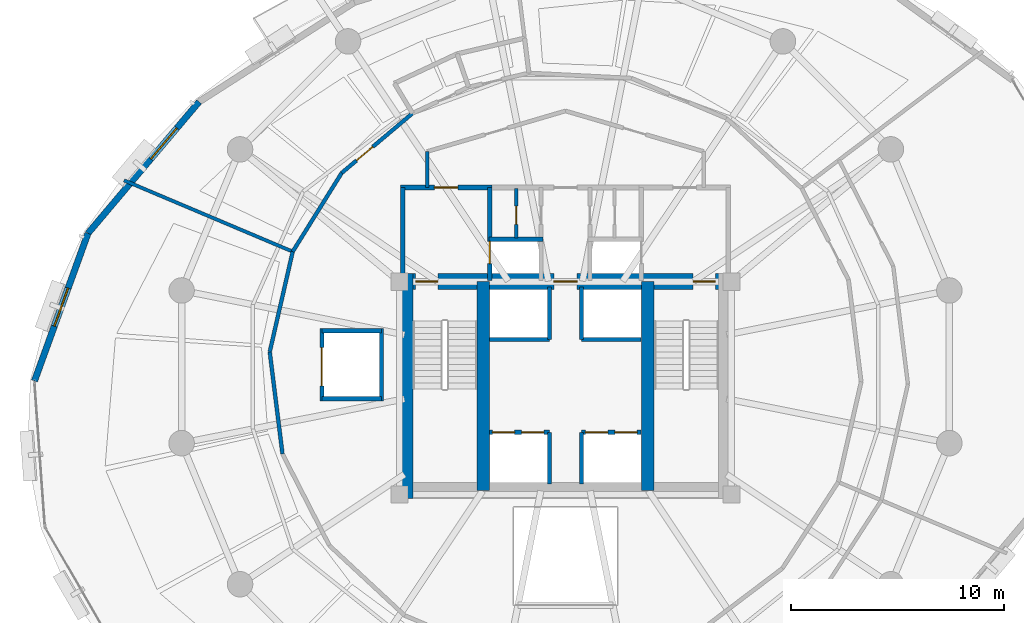
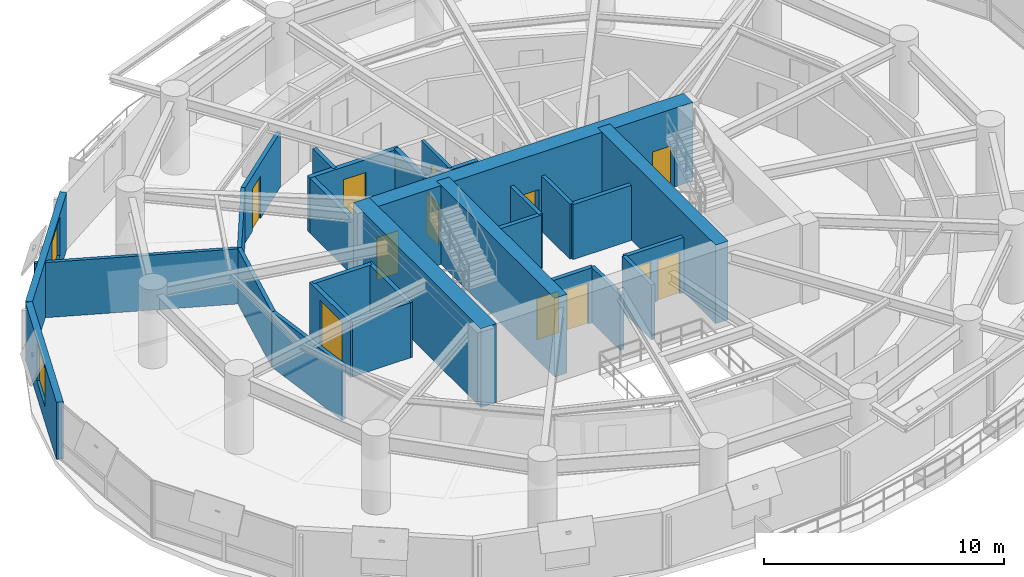
# One storey, part 10 of 15: 29 walls, 12 doors, 2 windows, 14 openings.
"""IFC4 building model written with IfcOpenShell, lengths in metres."""

from ifc_helpers import new_model, si_unit, direction, frame, frame_2d, origin, place, context, subcontext, project, spatial, rectangle, extrude, material, layer, layer_set, type_object, element, fill, save


model = new_model("IFC4")

# Units and contexts
model_context = context("Model", 3, precision=1e-05, world=origin(), true_north=direction((0.0, 1.0)))
body_context = subcontext(model_context, "Body", "Model", "MODEL_VIEW")
ifc_project = project(units=[si_unit("LENGTHUNIT", "METRE"), si_unit("AREAUNIT", "SQUARE_METRE"), si_unit("VOLUMEUNIT", "CUBIC_METRE"), si_unit("PLANEANGLEUNIT", "RADIAN"), si_unit("MASSUNIT", "GRAM", prefix="KILO"), si_unit("THERMODYNAMICTEMPERATUREUNIT", "KELVIN"), si_unit("POWERUNIT", "WATT")], contexts=[model_context])

# Site, building, storey
site_placement = place(None, origin())
site = spatial("IfcSite", under=ifc_project, at=site_placement, CompositionType="ELEMENT")
building_placement = place(site_placement, origin())
building = spatial("IfcBuilding", under=site, at=building_placement, Name="Ocrelia Relay Tower", CompositionType="ELEMENT")
storey_placement = place(building_placement, frame((0.0, 0.0, 105.800048828125)))
storey = spatial("IfcBuildingStorey", under=building, at=storey_placement, Name="L24", CompositionType="ELEMENT", Elevation=105.800048828125)

# Wall, openings, doors
ifc_material_1 = material(Name="Concrete C60/75", Category="concrete")
ifc_layer_1 = layer(ifc_material_1, 0.75, Name="Concrete C60/75")
ifc_layer_set_1 = layer_set([ifc_layer_1], Name="Concrete C60/75")
wall_type_1 = type_object("IfcWallType", Name="CW-CORE-750", PredefinedType="SHEAR", material=ifc_layer_set_1)
wall_1_placement = place(storey_placement, frame((26.072021484375, 30.012939453125, 0.0), z_axis=(0.0, 0.0, 1.0), x_axis=(1.0, 0.0, 0.0)))
wall_1 = element("IfcWall", 1, at=wall_1_placement, inside=storey, type_object=wall_type_1, Name="L24 Core Shear Wall N", PredefinedType="SHEAR", context=body_context, shape_type="SweptSolid", body=[
    extrude(rectangle(XDim=15.865966796875, YDim=0.75, at=frame_2d((7.93310546875, 0.0))), origin(), (0.0, 0.0, 1.0), 4.0),
])
opening_1_placement = place(wall_1_placement, frame((0.8779296875, 0.0, 0.0)))
opening_1 = element("IfcOpeningElement", 2, at=opening_1_placement, cuts=wall_1, Name="Opening D-FD90", PredefinedType="OPENING", context=body_context, shape_type="SweptSolid", body=[
    extrude(rectangle(XDim=1.050048828125, YDim=2.14990234375, at=frame_2d((0.52490234375, 1.074951171875))), frame((0.0, 0.385009765625, 0.0), z_axis=(0.0, -1.0, 0.0), x_axis=(1.0, 0.0, 0.0)), (0.0, 0.0, 1.0), 0.77001953125),
])
opening_2_placement = place(wall_1_placement, frame((13.927978515625, 0.0, 0.0)))
opening_2 = element("IfcOpeningElement", 3, at=opening_2_placement, cuts=wall_1, Name="Opening D-FD90", PredefinedType="OPENING", context=body_context, shape_type="SweptSolid", body=[
    extrude(rectangle(XDim=1.050048828125, YDim=2.14990234375, at=frame_2d((0.52490234375, 1.074951171875))), frame((0.0, 0.385009765625, 0.0), z_axis=(0.0, -1.0, 0.0), x_axis=(1.0, 0.0, 0.0)), (0.0, 0.0, 1.0), 0.77001953125),
])
opening_3_placement = place(wall_1_placement, frame((7.3779296875, 0.0, 0.0)))
opening_3 = element("IfcOpeningElement", 4, at=opening_3_placement, cuts=wall_1, Name="Opening D-FD60", PredefinedType="OPENING", context=body_context, shape_type="SweptSolid", body=[
    extrude(rectangle(XDim=1.10009765625, YDim=2.14990234375, at=frame_2d((0.550048828125, 1.074951171875))), frame((0.0, 0.385009765625, 0.0), z_axis=(0.0, -1.0, 0.0), x_axis=(1.0, 0.0, 0.0)), (0.0, 0.0, 1.0), 0.77001953125),
])
ifc_material_2 = material(Name="Timber-core 60-min acoustic fire door", Category="wood")
door_type_1 = type_object("IfcDoorType", Name="DR-LOBBY-FD60-1100", OperationType="NOTDEFINED", PredefinedType="DOOR", material=ifc_material_2)
door_1_placement = place(opening_3_placement, origin())
door_1 = element("IfcDoor", 5, at=door_1_placement, inside=storey, type_object=door_type_1, Name="L24 Core Lift Lobby North Fire Door", OperationType="SINGLE_SWING_RIGHT", OverallHeight=2.14990234375, OverallWidth=1.10009765625, PredefinedType="DOOR", context=body_context, shape_type="SweptSolid", body=[
    extrude(rectangle(XDim=1.10009765625, YDim=2.14990234375, at=frame_2d((0.550048828125, 1.074951171875))), frame((0.0, 0.02490234375, 0.0), z_axis=(0.0, -1.0, 0.0), x_axis=(1.0, 0.0, 0.0)), (0.0, 0.0, 1.0), 0.050048828125),
])
fill(opening_3, door_1)
ifc_material_3 = material(Name="Steel S355 90-min fire door", Category="steel")
door_type_2 = type_object("IfcDoorType", Name="DR-STAIR-FD90-1050", OperationType="NOTDEFINED", PredefinedType="DOOR", material=ifc_material_3)
door_2_placement = place(opening_1_placement, origin())
door_2 = element("IfcDoor", 6, at=door_2_placement, inside=storey, type_object=door_type_2, Name="L24 Stair ST1 Fire Door", OperationType="SINGLE_SWING_RIGHT", OverallHeight=2.14990234375, OverallWidth=1.050048828125, PredefinedType="DOOR", context=body_context, shape_type="SweptSolid", body=[
    extrude(rectangle(XDim=1.050048828125, YDim=2.14990234375, at=frame_2d((0.52490234375, 1.074951171875))), frame((0.0, 0.02490234375, 0.0), z_axis=(0.0, -1.0, 0.0), x_axis=(1.0, 0.0, 0.0)), (0.0, 0.0, 1.0), 0.050048828125),
])
fill(opening_1, door_2)
door_3_placement = place(opening_2_placement, origin())
door_3 = element("IfcDoor", 7, at=door_3_placement, inside=storey, type_object=door_type_2, Name="L24 Stair ST2 Fire Door", OperationType="SINGLE_SWING_LEFT", OverallHeight=2.14990234375, OverallWidth=1.050048828125, PredefinedType="DOOR", context=body_context, shape_type="SweptSolid", body=[
    extrude(rectangle(XDim=1.050048828125, YDim=2.14990234375, at=frame_2d((0.52490234375, 1.074951171875))), frame((0.0, 0.02490234375, 0.0), z_axis=(0.0, -1.0, 0.0), x_axis=(1.0, 0.0, 0.0)), (0.0, 0.0, 1.0), 0.050048828125),
])
fill(opening_2, door_3)

# Walls
wall_2_placement = place(storey_placement, frame((26.447021484375, 19.81201171875, 0.0), z_axis=(0.0, 0.0, 1.0), x_axis=(0.0, 1.0, 0.0)))
element("IfcWall", 8, at=wall_2_placement, inside=storey, type_object=wall_type_1, Name="L24 Core Shear Wall W", PredefinedType="SHEAR", context=body_context, shape_type="SweptSolid", body=[
    extrude(rectangle(XDim=10.575927734375, YDim=0.75, at=frame_2d((5.2880859375, 0.0))), origin(), (0.0, 0.0, 1.0), 4.0),
])
for number, where, z_axis, x_axis, name in (
    (9, (30.137939453125, 20.18701171875, 0.0), (0.0, 0.0, 1.0), (0.0, 1.0, 0.0), "L24 Core Shear Wall SPW"),
    (10, (37.8720703125, 20.18701171875, 0.0), (0.0, 0.0, 1.0), (0.0, 1.0, 0.0), "L24 Core Shear Wall SPE"),
):
    element("IfcWall", number, at=place(storey_placement, frame(where, z_axis=z_axis, x_axis=x_axis)), inside=storey, type_object=wall_type_1, Name=name, PredefinedType="SHEAR", context=body_context, shape_type="SweptSolid", body=[
        extrude(rectangle(XDim=9.825927734375, YDim=0.60009765625, at=frame_2d((4.9130859375, 0.0))), origin(), (0.0, 0.0, 1.0), 4.0),
    ])
ifc_material_4 = material(Name="Gypsum Fireboard Partition EI60", Category="gypsum")
ifc_layer_2 = layer(ifc_material_4, 0.179931640625, Name="Gypsum Fireboard Partition EI60")
ifc_layer_set_2 = layer_set([ifc_layer_2], Name="Gypsum Fireboard Partition EI60")
wall_type_2 = type_object("IfcWallType", Name="W-CORR-EI60-180", PredefinedType="PARTITIONING", material=ifc_layer_set_2)
wall_3_placement = place(storey_placement, frame((27.5, 34.429931640625, 0.0), z_axis=(0.0, 0.0, 1.0), x_axis=(0.0, 1.0, 0.0)))
element("IfcWall", 11, at=wall_3_placement, inside=storey, type_object=wall_type_2, Name="L24 Smoke Lobby West Return", PredefinedType="PARTITIONING", context=body_context, shape_type="SweptSolid", body=[
    extrude(rectangle(XDim=1.69287109375, YDim=0.179931640625, at=frame_2d((0.846435546875, 0.0))), origin(), (0.0, 0.0, 1.0), 2.800048828125),
])

# Wall, opening, door
wall_4_placement = place(storey_placement, frame((26.809814453125, 37.919189453125, 0.0), z_axis=(0.0, 0.0, 1.0), x_axis=(-0.764925735115, -0.644118482702, 0.0)))
wall_4 = element("IfcWall", 12, at=wall_4_placement, inside=storey, type_object=wall_type_2, Name="L24 Network Engineering Office A Corridor Partition 1", PredefinedType="PARTITIONING", context=body_context, shape_type="SweptSolid", body=[
    extrude(rectangle(XDim=4.35498046875, YDim=0.179931640625, at=frame_2d((2.177490234375, 0.0))), origin(), (0.0, 0.0, 1.0), 2.800048828125),
])
opening_4_placement = place(wall_4_placement, frame((2.44140625, 0.0, 0.0)))
opening_4 = element("IfcOpeningElement", 13, at=opening_4_placement, cuts=wall_4, Name="Opening D-RM100", PredefinedType="OPENING", context=body_context, shape_type="SweptSolid", body=[
    extrude(rectangle(XDim=1.0, YDim=2.14990234375, at=frame_2d((0.5, 1.074951171875))), frame((0.0, 0.10009765625, 0.0), z_axis=(0.0, -1.0, 0.0), x_axis=(1.0, 0.0, 0.0)), (0.0, 0.0, 1.0), 0.199951171875),
])
ifc_material_5 = material(Name="Acoustic oak veneer fire door", Category="wood")
door_type_3 = type_object("IfcDoorType", Name="DR-ROOM-FD60-1000", OperationType="NOTDEFINED", PredefinedType="DOOR", material=ifc_material_5)
door_4_placement = place(opening_4_placement, origin())
door_4 = element("IfcDoor", 14, at=door_4_placement, inside=storey, type_object=door_type_3, Name="L24 Network Engineering Office A Entrance Door", OperationType="SINGLE_SWING_RIGHT", OverallHeight=2.14990234375, OverallWidth=1.0, PredefinedType="DOOR", context=body_context, shape_type="SweptSolid", body=[
    extrude(rectangle(XDim=1.0, YDim=2.14990234375, at=frame_2d((0.5, 1.074951171875))), frame((0.0, 0.02490234375, 0.0), z_axis=(0.0, -1.0, 0.0), x_axis=(1.0, 0.0, 0.0)), (0.0, 0.0, 1.0), 0.050048828125),
])
fill(opening_4, door_4)

# Walls
wall_5_placement = place(storey_placement, frame((23.478515625, 35.114013671875, 0.0), z_axis=(0.0, 0.0, 1.0), x_axis=(-0.528441072096, -0.848969983758, 0.0)))
element("IfcWall", 15, at=wall_5_placement, inside=storey, type_object=wall_type_2, Name="L24 Network Engineering Office A Corridor Partition 2", PredefinedType="PARTITIONING", context=body_context, shape_type="SweptSolid", body=[
    extrude(rectangle(XDim=4.355224609375, YDim=0.179931640625, at=frame_2d((2.177734375, 0.0))), origin(), (0.0, 0.0, 1.0), 2.800048828125),
])
wall_6_placement = place(storey_placement, frame((21.177001953125, 31.41650390625, 0.0), z_axis=(0.0, 0.0, 1.0), x_axis=(-0.223225205637, -0.974766899094, 0.0)))
element("IfcWall", 16, at=wall_6_placement, inside=storey, type_object=wall_type_2, Name="L24 Optical Switching Hall A Corridor Partition 1", PredefinedType="PARTITIONING", context=body_context, shape_type="SweptSolid", body=[
    extrude(rectangle(XDim=4.834228515625, YDim=0.179931640625, at=frame_2d((2.4169921875, 0.0))), origin(), (0.0, 0.0, 1.0), 2.800048828125),
])
wall_7_placement = place(storey_placement, frame((20.097900390625, 26.704345703125, 0.0), z_axis=(0.0, 0.0, 1.0), x_axis=(0.123574778046, -0.992335263019, 0.0)))
element("IfcWall", 17, at=wall_7_placement, inside=storey, type_object=wall_type_2, Name="L24 Optical Switching Hall A Corridor Partition 2", PredefinedType="PARTITIONING", context=body_context, shape_type="SweptSolid", body=[
    extrude(rectangle(XDim=4.83447265625, YDim=0.179931640625, at=frame_2d((2.417236328125, 0.0))), origin(), (0.0, 0.0, 1.0), 2.800048828125),
])

# Wall, opening, window
ifc_material_6 = material(Name="Precast concrete C40/50 with oxide terracotta", Category="masonry")
ifc_layer_3 = layer(ifc_material_6, 0.300048828125, Name="Precast concrete C40/50 with oxide terracotta")
ifc_layer_set_3 = layer_set([ifc_layer_3], Name="Precast concrete C40/50 with oxide terracotta")
wall_type_3 = type_object("IfcWallType", Name="W-EXT-TERR-300", PredefinedType="SOLIDWALL", material=ifc_layer_set_3)
wall_8_placement = place(storey_placement, frame((16.77490234375, 38.4599609375, 0.0), z_axis=(0.0, 0.0, 1.0), x_axis=(-0.645225416489, -0.763992252524, 0.0)))
wall_8 = element("IfcWall", 18, at=wall_8_placement, inside=storey, type_object=wall_type_3, Name="L24 Oxide Terracotta Facade Wall 07", PredefinedType="SOLIDWALL", context=body_context, shape_type="SweptSolid", body=[
    extrude(rectangle(XDim=8.094970703125, YDim=0.300048828125, at=frame_2d((4.04736328125, 0.0))), origin(), (0.0, 0.0, 1.0), 2.89990234375),
])
opening_5_placement = place(wall_8_placement, frame((1.614990234375, 0.0, 0.800048828125)))
opening_5 = element("IfcOpeningElement", 19, at=opening_5_placement, cuts=wall_8, Name="Opening W-06", PredefinedType="OPENING", context=body_context, shape_type="SweptSolid", body=[
    extrude(rectangle(XDim=1.89990234375, YDim=1.949951171875, at=frame_2d((0.949951171875, 0.97509765625))), frame((0.0, 0.16015625, 0.0), z_axis=(0.0, -1.0, 0.0), x_axis=(1.0, 0.0, 0.0)), (0.0, 0.0, 1.0), 0.320068359375),
])
ifc_material_7 = material(Name="Clear double-glazed low-E glass", Category="glass")
window_type = type_object("IfcWindowType", Name="WIN-Z2-1900x2100", PartitioningType="DOUBLE_PANEL_VERTICAL", PredefinedType="WINDOW", material=ifc_material_7)
window_1_placement = place(opening_5_placement, origin())
window_1 = element("IfcWindow", 20, at=window_1_placement, inside=storey, type_object=window_type, Name="L24 Facade Module Window 07", OverallHeight=1.949951171875, OverallWidth=1.89990234375, PartitioningType="SINGLE_PANEL", PredefinedType="WINDOW", context=body_context, shape_type="SweptSolid", body=[
    extrude(rectangle(XDim=1.89990234375, YDim=1.949951171875, at=frame_2d((0.949951171875, 0.97509765625))), frame((0.0, 0.030029296875, 0.0), z_axis=(0.0, -1.0, 0.0), x_axis=(1.0, 0.0, 0.0)), (0.0, 0.0, 1.0), 0.06005859375),
])
fill(opening_5, window_1)

wall_9_placement = place(storey_placement, frame((11.5517578125, 32.275390625, 0.0), z_axis=(0.0, 0.0, 1.0), x_axis=(-0.340712741233, -0.940167446767, 0.0)))
wall_9 = element("IfcWall", 21, at=wall_9_placement, inside=storey, type_object=wall_type_3, Name="L24 Oxide Terracotta Facade Wall 08", PredefinedType="SOLIDWALL", context=body_context, shape_type="SweptSolid", body=[
    extrude(rectangle(XDim=7.38330078125, YDim=0.300048828125, at=frame_2d((3.691650390625, 0.0))), origin(), (0.0, 0.0, 1.0), 2.89990234375),
])
opening_6_placement = place(wall_9_placement, frame((2.741943359375, 0.0, 0.800048828125)))
opening_6 = element("IfcOpeningElement", 22, at=opening_6_placement, cuts=wall_9, Name="Opening W-06", PredefinedType="OPENING", context=body_context, shape_type="SweptSolid", body=[
    extrude(rectangle(XDim=1.89990234375, YDim=1.949951171875, at=frame_2d((0.949951171875, 0.97509765625))), frame((0.0, 0.16015625, 0.0), z_axis=(0.0, -1.0, 0.0), x_axis=(1.0, 0.0, 0.0)), (0.0, 0.0, 1.0), 0.320068359375),
])
window_2_placement = place(opening_6_placement, origin())
window_2 = element("IfcWindow", 23, at=window_2_placement, inside=storey, type_object=window_type, Name="L24 Facade Module Window 08", OverallHeight=1.949951171875, OverallWidth=1.89990234375, PartitioningType="SINGLE_PANEL", PredefinedType="WINDOW", context=body_context, shape_type="SweptSolid", body=[
    extrude(rectangle(XDim=1.89990234375, YDim=1.949951171875, at=frame_2d((0.949951171875, 0.97509765625))), frame((0.0, 0.030029296875, 0.0), z_axis=(0.0, -1.0, 0.0), x_axis=(1.0, 0.0, 0.0)), (0.0, 0.0, 1.0), 0.06005859375),
])
fill(opening_6, window_2)

# Wall
ifc_material_8 = material(Name="Concrete C50/60", Category="concrete")
ifc_layer_4 = layer(ifc_material_8, 0.219970703125, Name="Concrete C50/60")
ifc_layer_set_4 = layer_set([ifc_layer_4], Name="Concrete C50/60")
wall_type_4 = type_object("IfcWallType", Name="W-FFL-EI120-220", PredefinedType="SOLIDWALL", material=ifc_layer_set_4)
wall_10_placement = place(storey_placement, frame((26.35009765625, 30.050048828125, 0.0), z_axis=(0.0, 0.0, 1.0), x_axis=(0.0, 1.0, 0.0)))
element("IfcWall", 24, at=wall_10_placement, inside=storey, type_object=wall_type_4, Name="L24 W Fire Service Lift Lobby West Wall", PredefinedType="SOLIDWALL", context=body_context, shape_type="SweptSolid", body=[
    extrude(rectangle(XDim=4.3798828125, YDim=0.219970703125, at=frame_2d((2.18994140625, 0.0))), origin(), (0.0, 0.0, 1.0), 2.800048828125),
])

# Wall, opening, door
wall_11_placement = place(storey_placement, frame((30.43994140625, 30.050048828125, 0.0), z_axis=(0.0, 0.0, 1.0), x_axis=(0.0, 1.0, 0.0)))
wall_11 = element("IfcWall", 25, at=wall_11_placement, inside=storey, type_object=wall_type_4, Name="L24 W Fire Service Lift Lobby East Wall", PredefinedType="SOLIDWALL", context=body_context, shape_type="SweptSolid", body=[
    extrude(rectangle(XDim=4.3798828125, YDim=0.219970703125, at=frame_2d((2.18994140625, 0.0))), origin(), (0.0, 0.0, 1.0), 2.800048828125),
])
opening_7_placement = place(wall_11_placement, frame((0.800048828125, 0.0, 0.0)))
opening_7 = element("IfcOpeningElement", 26, at=opening_7_placement, cuts=wall_11, Name="Opening LD-FFL1", PredefinedType="OPENING", context=body_context, shape_type="SweptSolid", body=[
    extrude(rectangle(XDim=1.050048828125, YDim=2.10009765625, at=frame_2d((0.52490234375, 1.050048828125))), frame((0.0, 0.1201171875, 0.0), z_axis=(0.0, -1.0, 0.0), x_axis=(1.0, 0.0, 0.0)), (0.0, 0.0, 1.0), 0.239990234375),
])
ifc_material_9 = material(Name="Brushed stainless steel S355 lift landing door", Category="steel")
door_type_4 = type_object("IfcDoorType", Name="DR-LIFT-LAND-1050", OperationType="DOUBLE_DOOR_SLIDING", PredefinedType="USERDEFINED", material=ifc_material_9)
door_5_placement = place(opening_7_placement, origin())
door_5 = element("IfcDoor", 27, at=door_5_placement, inside=storey, type_object=door_type_4, Name="L24 Firefighting Lift FFL1 Sliding Landing Door", ObjectType="LANDING DOOR", OperationType="DOUBLE_DOOR_SLIDING", OverallHeight=2.10009765625, OverallWidth=1.050048828125, PredefinedType="USERDEFINED", context=body_context, shape_type="SweptSolid", body=[
    extrude(rectangle(XDim=1.050048828125, YDim=2.10009765625, at=frame_2d((0.52490234375, 1.050048828125))), frame((0.0, 0.02490234375, 0.0), z_axis=(0.0, -1.0, 0.0), x_axis=(1.0, 0.0, 0.0)), (0.0, 0.0, 1.0), 0.050048828125),
])
fill(opening_7, door_5)

wall_12_placement = place(storey_placement, frame((26.239990234375, 34.429931640625, 0.0), z_axis=(0.0, 0.0, 1.0), x_axis=(1.0, 0.0, 0.0)))
wall_12 = element("IfcWall", 28, at=wall_12_placement, inside=storey, type_object=wall_type_4, Name="L24 W Fire Service Lift Lobby North Wall", PredefinedType="SOLIDWALL", context=body_context, shape_type="SweptSolid", body=[
    extrude(rectangle(XDim=4.31005859375, YDim=0.219970703125, at=frame_2d((2.155029296875, 0.0))), origin(), (0.0, 0.0, 1.0), 2.800048828125),
])
opening_8_placement = place(wall_12_placement, frame((1.60009765625, 0.0, 0.0)))
opening_8 = element("IfcOpeningElement", 29, at=opening_8_placement, cuts=wall_12, Name="Opening D-FD60", PredefinedType="OPENING", context=body_context, shape_type="SweptSolid", body=[
    extrude(rectangle(XDim=1.10009765625, YDim=2.14990234375, at=frame_2d((0.550048828125, 1.074951171875))), frame((0.0, 0.1201171875, 0.0), z_axis=(0.0, -1.0, 0.0), x_axis=(1.0, 0.0, 0.0)), (0.0, 0.0, 1.0), 0.239990234375),
])
door_6_placement = place(opening_8_placement, origin())
door_6 = element("IfcDoor", 30, at=door_6_placement, inside=storey, type_object=door_type_1, Name="L24 W Fire Service Lift Lobby Exit Door", OperationType="SINGLE_SWING_LEFT", OverallHeight=2.14990234375, OverallWidth=1.10009765625, PredefinedType="DOOR", context=body_context, shape_type="SweptSolid", body=[
    extrude(rectangle(XDim=1.10009765625, YDim=2.14990234375, at=frame_2d((0.550048828125, 1.074951171875))), frame((0.0, 0.02490234375, 0.0), z_axis=(0.0, -1.0, 0.0), x_axis=(1.0, 0.0, 0.0)), (0.0, 0.0, 1.0), 0.050048828125),
])
fill(opening_8, door_6)

ifc_material_10 = material(Name="Acoustic Fireboard Partition EI60", Category="gypsum")
ifc_layer_5 = layer(ifc_material_10, 0.14990234375, Name="Acoustic Fireboard Partition EI60")
ifc_layer_set_5 = layer_set([ifc_layer_5], Name="Acoustic Fireboard Partition EI60")
wall_type_5 = type_object("IfcWallType", Name="W-PART-150", PredefinedType="PARTITIONING", material=ifc_layer_set_5)
wall_13_placement = place(storey_placement, frame((31.68994140625, 32.050048828125, 0.0), z_axis=(0.0, 0.0, 1.0), x_axis=(0.0, 1.0, 0.0)))
wall_13 = element("IfcWall", 31, at=wall_13_placement, inside=storey, type_object=wall_type_5, Name="L24 West Core Support Partition", PredefinedType="PARTITIONING", context=body_context, shape_type="SweptSolid", body=[
    extrude(rectangle(XDim=2.329833984375, YDim=0.14990234375, at=frame_2d((1.1650390625, 0.0))), origin(), (0.0, 0.0, 1.0), 2.800048828125),
])
opening_9_placement = place(wall_13_placement, frame((0.64990234375, 0.0, 0.0)))
opening_9 = element("IfcOpeningElement", 32, at=opening_9_placement, cuts=wall_13, Name="Opening D-RS86", PredefinedType="OPENING", context=body_context, shape_type="SweptSolid", body=[
    extrude(rectangle(XDim=0.860107421875, YDim=2.050048828125, at=frame_2d((0.43017578125, 1.02490234375))), frame((0.0, 0.0849609375, 0.0), z_axis=(0.0, -1.0, 0.0), x_axis=(1.0, 0.0, 0.0)), (0.0, 0.0, 1.0), 0.169921875),
])
ifc_material_11 = material(Name="Steel S355 riser access fire door", Category="steel")
door_type_5 = type_object("IfcDoorType", Name="DR-RISER-TRAP-860", OperationType="NOTDEFINED", PredefinedType="TRAPDOOR", material=ifc_material_11)
door_7_placement = place(opening_9_placement, origin())
door_7 = element("IfcDoor", 33, at=door_7_placement, inside=storey, type_object=door_type_5, Name="L24 West Core Store Connecting Door", OperationType="SINGLE_SWING_RIGHT", OverallHeight=2.050048828125, OverallWidth=0.860107421875, PredefinedType="TRAPDOOR", context=body_context, shape_type="SweptSolid", body=[
    extrude(rectangle(XDim=0.860107421875, YDim=2.050048828125, at=frame_2d((0.43017578125, 1.02490234375))), frame((0.0, 0.02490234375, 0.0), z_axis=(0.0, -1.0, 0.0), x_axis=(1.0, 0.0, 0.0)), (0.0, 0.0, 1.0), 0.050048828125),
])
fill(opening_9, door_7)

# Walls
ifc_layer_6 = layer(ifc_material_10, 0.159912109375, Name="Acoustic Fireboard Partition EI60")
ifc_layer_set_6 = layer_set([ifc_layer_6], Name="Acoustic Fireboard Partition EI60")
wall_type_6 = type_object("IfcWallType", Name="W-PART-160", PredefinedType="PARTITIONING", material=ifc_layer_set_6)
wall_14_placement = place(storey_placement, frame((21.177001953125, 31.41650390625, 0.0), z_axis=(0.0, 0.0, 1.0), x_axis=(-0.921181314458, 0.389133635007, 0.0)))
element("IfcWall", 34, at=wall_14_placement, inside=storey, type_object=wall_type_6, Name="L24 Network Engineering Office A Radial Partition", PredefinedType="PARTITIONING", context=body_context, shape_type="SweptSolid", body=[
    extrude(rectangle(XDim=8.604736328125, YDim=0.159912109375, at=frame_2d((4.30224609375, 0.0))), origin(), (0.0, 0.0, 1.0), 2.800048828125),
])
ifc_layer_7 = layer(ifc_material_8, 0.199951171875, Name="Concrete C50/60")
ifc_layer_set_7 = layer_set([ifc_layer_7], Name="Concrete C50/60")
wall_type_7 = type_object("IfcWallType", Name="W-SHAFT-EI120-200", PredefinedType="SOLIDWALL", material=ifc_layer_set_7)
wall_15_placement = place(storey_placement, frame((30.39990234375, 32.0, 0.0), z_axis=(0.0, 0.0, 1.0), x_axis=(1.0, 0.0, 0.0)))
element("IfcWall", 35, at=wall_15_placement, inside=storey, type_object=wall_type_7, Name="L24 FFL1 Hoistway North Wall", PredefinedType="SOLIDWALL", context=body_context, shape_type="SweptSolid", body=[
    extrude(rectangle(XDim=2.550048828125, YDim=0.199951171875, at=frame_2d((1.27490234375, 0.0))), origin(), (0.0, 0.0, 1.0), 2.800048828125),
])

# Wall, openings, doors
wall_16_placement = place(storey_placement, frame((30.43994140625, 22.919921875, 0.0), z_axis=(0.0, 0.0, 1.0), x_axis=(1.0, 0.0, 0.0)))
wall_16 = element("IfcWall", 36, at=wall_16_placement, inside=storey, type_object=wall_type_7, Name="L24 Low-Rise Lift Hoistway Wall W", PredefinedType="SOLIDWALL", context=body_context, shape_type="SweptSolid", body=[
    extrude(rectangle(XDim=2.81005859375, YDim=0.199951171875, at=frame_2d((1.405029296875, 0.0))), origin(), (0.0, 0.0, 1.0), 2.800048828125),
])
opening_10_placement = place(wall_16_placement, frame((0.1201171875, 0.0, 0.0)))
opening_10 = element("IfcOpeningElement", 37, at=opening_10_placement, cuts=wall_16, Name="Opening LD-PL1", PredefinedType="OPENING", context=body_context, shape_type="SweptSolid", body=[
    extrude(rectangle(XDim=1.050048828125, YDim=2.10009765625, at=frame_2d((0.52490234375, 1.050048828125))), frame((0.0, 0.10986328125, 0.0), z_axis=(0.0, -1.0, 0.0), x_axis=(1.0, 0.0, 0.0)), (0.0, 0.0, 1.0), 0.219970703125),
])
opening_11_placement = place(wall_16_placement, frame((1.5, 0.0, 0.0)))
opening_11 = element("IfcOpeningElement", 38, at=opening_11_placement, cuts=wall_16, Name="Opening LD-PL2", PredefinedType="OPENING", context=body_context, shape_type="SweptSolid", body=[
    extrude(rectangle(XDim=1.050048828125, YDim=2.10009765625, at=frame_2d((0.52490234375, 1.050048828125))), frame((0.0, 0.10986328125, 0.0), z_axis=(0.0, -1.0, 0.0), x_axis=(1.0, 0.0, 0.0)), (0.0, 0.0, 1.0), 0.219970703125),
])
door_8_placement = place(opening_10_placement, origin())
door_8 = element("IfcDoor", 39, at=door_8_placement, inside=storey, type_object=door_type_4, Name="L24 Passenger Lift PL1 Sliding Landing Door", ObjectType="LANDING DOOR", OperationType="DOUBLE_DOOR_SLIDING", OverallHeight=2.10009765625, OverallWidth=1.050048828125, PredefinedType="USERDEFINED", context=body_context, shape_type="SweptSolid", body=[
    extrude(rectangle(XDim=1.050048828125, YDim=2.10009765625, at=frame_2d((0.52490234375, 1.050048828125))), frame((0.0, 0.02490234375, 0.0), z_axis=(0.0, -1.0, 0.0), x_axis=(1.0, 0.0, 0.0)), (0.0, 0.0, 1.0), 0.050048828125),
])
fill(opening_10, door_8)
door_9_placement = place(opening_11_placement, origin())
door_9 = element("IfcDoor", 40, at=door_9_placement, inside=storey, type_object=door_type_4, Name="L24 Passenger Lift PL2 Sliding Landing Door", ObjectType="LANDING DOOR", OperationType="DOUBLE_DOOR_SLIDING", OverallHeight=2.10009765625, OverallWidth=1.050048828125, PredefinedType="USERDEFINED", context=body_context, shape_type="SweptSolid", body=[
    extrude(rectangle(XDim=1.050048828125, YDim=2.10009765625, at=frame_2d((0.52490234375, 1.050048828125))), frame((0.0, 0.02490234375, 0.0), z_axis=(0.0, -1.0, 0.0), x_axis=(1.0, 0.0, 0.0)), (0.0, 0.0, 1.0), 0.050048828125),
])
fill(opening_11, door_9)

# Wall
wall_17_placement = place(storey_placement, frame((33.25, 20.5, 0.0), z_axis=(0.0, 0.0, 1.0), x_axis=(0.0, 1.0, 0.0)))
element("IfcWall", 41, at=wall_17_placement, inside=storey, type_object=wall_type_7, Name="L24 Low-Rise Lift Throat Wall W", PredefinedType="SOLIDWALL", context=body_context, shape_type="SweptSolid", body=[
    extrude(rectangle(XDim=2.419921875, YDim=0.179931640625, at=frame_2d((1.2099609375, 0.0))), origin(), (0.0, 0.0, 1.0), 2.800048828125),
])

# Wall, openings, doors
wall_18_placement = place(storey_placement, frame((34.75, 22.919921875, 0.0), z_axis=(0.0, 0.0, 1.0), x_axis=(1.0, 0.0, 0.0)))
wall_18 = element("IfcWall", 42, at=wall_18_placement, inside=storey, type_object=wall_type_7, Name="L24 Low-Rise Lift Hoistway Wall E", PredefinedType="SOLIDWALL", context=body_context, shape_type="SweptSolid", body=[
    extrude(rectangle(XDim=2.81005859375, YDim=0.199951171875, at=frame_2d((1.405029296875, 0.0))), origin(), (0.0, 0.0, 1.0), 2.800048828125),
])
opening_12_placement = place(wall_18_placement, frame((0.18994140625, 0.0, 0.0)))
opening_12 = element("IfcOpeningElement", 43, at=opening_12_placement, cuts=wall_18, Name="Opening LD-PL3", PredefinedType="OPENING", context=body_context, shape_type="SweptSolid", body=[
    extrude(rectangle(XDim=1.050048828125, YDim=2.10009765625, at=frame_2d((0.52490234375, 1.050048828125))), frame((0.0, 0.10986328125, 0.0), z_axis=(0.0, -1.0, 0.0), x_axis=(1.0, 0.0, 0.0)), (0.0, 0.0, 1.0), 0.219970703125),
])
opening_13_placement = place(wall_18_placement, frame((1.570068359375, 0.0, 0.0)))
opening_13 = element("IfcOpeningElement", 44, at=opening_13_placement, cuts=wall_18, Name="Opening LD-PL4", PredefinedType="OPENING", context=body_context, shape_type="SweptSolid", body=[
    extrude(rectangle(XDim=1.050048828125, YDim=2.10009765625, at=frame_2d((0.52490234375, 1.050048828125))), frame((0.0, 0.10986328125, 0.0), z_axis=(0.0, -1.0, 0.0), x_axis=(1.0, 0.0, 0.0)), (0.0, 0.0, 1.0), 0.219970703125),
])
door_10_placement = place(opening_12_placement, origin())
door_10 = element("IfcDoor", 45, at=door_10_placement, inside=storey, type_object=door_type_4, Name="L24 Passenger Lift PL3 Sliding Landing Door", ObjectType="LANDING DOOR", OperationType="DOUBLE_DOOR_SLIDING", OverallHeight=2.10009765625, OverallWidth=1.050048828125, PredefinedType="USERDEFINED", context=body_context, shape_type="SweptSolid", body=[
    extrude(rectangle(XDim=1.050048828125, YDim=2.10009765625, at=frame_2d((0.52490234375, 1.050048828125))), frame((0.0, 0.02490234375, 0.0), z_axis=(0.0, -1.0, 0.0), x_axis=(1.0, 0.0, 0.0)), (0.0, 0.0, 1.0), 0.050048828125),
])
fill(opening_12, door_10)
door_11_placement = place(opening_13_placement, origin())
door_11 = element("IfcDoor", 46, at=door_11_placement, inside=storey, type_object=door_type_4, Name="L24 Passenger Lift PL4 Sliding Landing Door", ObjectType="LANDING DOOR", OperationType="DOUBLE_DOOR_SLIDING", OverallHeight=2.10009765625, OverallWidth=1.050048828125, PredefinedType="USERDEFINED", context=body_context, shape_type="SweptSolid", body=[
    extrude(rectangle(XDim=1.050048828125, YDim=2.10009765625, at=frame_2d((0.52490234375, 1.050048828125))), frame((0.0, 0.02490234375, 0.0), z_axis=(0.0, -1.0, 0.0), x_axis=(1.0, 0.0, 0.0)), (0.0, 0.0, 1.0), 0.050048828125),
])
fill(opening_13, door_11)

# Walls
wall_19_placement = place(storey_placement, frame((34.75, 20.5, 0.0), z_axis=(0.0, 0.0, 1.0), x_axis=(0.0, 1.0, 0.0)))
element("IfcWall", 47, at=wall_19_placement, inside=storey, type_object=wall_type_7, Name="L24 Low-Rise Lift Throat Wall E", PredefinedType="SOLIDWALL", context=body_context, shape_type="SweptSolid", body=[
    extrude(rectangle(XDim=2.419921875, YDim=0.179931640625, at=frame_2d((1.2099609375, 0.0))), origin(), (0.0, 0.0, 1.0), 2.800048828125),
])
wall_20_placement = place(storey_placement, frame((30.43994140625, 27.280029296875, 0.0), z_axis=(0.0, 0.0, 1.0), x_axis=(1.0, 0.0, 0.0)))
element("IfcWall", 48, at=wall_20_placement, inside=storey, type_object=wall_type_7, Name="L24 High-Rise Lift Hoistway Wall W", PredefinedType="SOLIDWALL", context=body_context, shape_type="SweptSolid", body=[
    extrude(rectangle(XDim=2.81005859375, YDim=0.199951171875, at=frame_2d((1.405029296875, 0.0))), origin(), (0.0, 0.0, 1.0), 2.800048828125),
])
wall_21_placement = place(storey_placement, frame((33.25, 27.280029296875, 0.0), z_axis=(0.0, 0.0, 1.0), x_axis=(0.0, 1.0, 0.0)))
element("IfcWall", 49, at=wall_21_placement, inside=storey, type_object=wall_type_7, Name="L24 High-Rise Lift Throat Wall W", PredefinedType="SOLIDWALL", context=body_context, shape_type="SweptSolid", body=[
    extrude(rectangle(XDim=2.469970703125, YDim=0.179931640625, at=frame_2d((1.23486328125, 0.0))), origin(), (0.0, 0.0, 1.0), 2.800048828125),
])
wall_22_placement = place(storey_placement, frame((34.75, 27.280029296875, 0.0), z_axis=(0.0, 0.0, 1.0), x_axis=(1.0, 0.0, 0.0)))
element("IfcWall", 50, at=wall_22_placement, inside=storey, type_object=wall_type_7, Name="L24 High-Rise Lift Hoistway Wall E", PredefinedType="SOLIDWALL", context=body_context, shape_type="SweptSolid", body=[
    extrude(rectangle(XDim=2.81005859375, YDim=0.199951171875, at=frame_2d((1.405029296875, 0.0))), origin(), (0.0, 0.0, 1.0), 2.800048828125),
])
wall_23_placement = place(storey_placement, frame((34.75, 27.280029296875, 0.0), z_axis=(0.0, 0.0, 1.0), x_axis=(0.0, 1.0, 0.0)))
element("IfcWall", 51, at=wall_23_placement, inside=storey, type_object=wall_type_7, Name="L24 High-Rise Lift Throat Wall E", PredefinedType="SOLIDWALL", context=body_context, shape_type="SweptSolid", body=[
    extrude(rectangle(XDim=2.469970703125, YDim=0.179931640625, at=frame_2d((1.23486328125, 0.0))), origin(), (0.0, 0.0, 1.0), 2.800048828125),
])

# Wall, opening, door
wall_24_placement = place(storey_placement, frame((22.550048828125, 24.39990234375, 0.0), z_axis=(0.0, 0.0, 1.0), x_axis=(0.0, 1.0, 0.0)))
wall_24 = element("IfcWall", 52, at=wall_24_placement, inside=storey, type_object=wall_type_7, Name="L24 Goods Lift Shaft West Wall", PredefinedType="SOLIDWALL", context=body_context, shape_type="SweptSolid", body=[
    extrude(rectangle(XDim=3.400146484375, YDim=0.199951171875, at=frame_2d((1.7001953125, 0.0))), origin(), (0.0, 0.0, 1.0), 2.800048828125),
])
opening_14_placement = place(wall_24_placement, frame((0.699951171875, 0.0, 0.0)))
opening_14 = element("IfcOpeningElement", 53, at=opening_14_placement, cuts=wall_24, Name="Opening LD-GL1", PredefinedType="OPENING", context=body_context, shape_type="SweptSolid", body=[
    extrude(rectangle(XDim=1.800048828125, YDim=2.39990234375, at=frame_2d((0.89990234375, 1.199951171875))), frame((0.0, 0.10986328125, 0.0), z_axis=(0.0, -1.0, 0.0), x_axis=(1.0, 0.0, 0.0)), (0.0, 0.0, 1.0), 0.219970703125),
])
ifc_material_12 = material(Name="Heavy-duty stainless steel S355 goods landing door", Category="steel")
door_type_6 = type_object("IfcDoorType", Name="DR-GOODS-LAND-1800", OperationType="DOUBLE_DOOR_SLIDING", PredefinedType="USERDEFINED", material=ifc_material_12)
door_12_placement = place(opening_14_placement, origin())
door_12 = element("IfcDoor", 54, at=door_12_placement, inside=storey, type_object=door_type_6, Name="L24 Goods Lift GL1 Sliding Landing Door", ObjectType="LANDING DOOR", OperationType="DOUBLE_DOOR_SLIDING", OverallHeight=2.39990234375, OverallWidth=1.800048828125, PredefinedType="USERDEFINED", context=body_context, shape_type="SweptSolid", body=[
    extrude(rectangle(XDim=1.800048828125, YDim=2.39990234375, at=frame_2d((0.89990234375, 1.199951171875))), frame((0.0, 0.02490234375, 0.0), z_axis=(0.0, -1.0, 0.0), x_axis=(1.0, 0.0, 0.0)), (0.0, 0.0, 1.0), 0.050048828125),
])
fill(opening_14, door_12)

# Walls
wall_25_placement = place(storey_placement, frame((25.35009765625, 24.39990234375, 0.0), z_axis=(0.0, 0.0, 1.0), x_axis=(0.0, 1.0, 0.0)))
element("IfcWall", 55, at=wall_25_placement, inside=storey, type_object=wall_type_7, Name="L24 Goods Lift Shaft E Wall", PredefinedType="SOLIDWALL", context=body_context, shape_type="SweptSolid", body=[
    extrude(rectangle(XDim=3.400146484375, YDim=0.199951171875, at=frame_2d((1.7001953125, 0.0))), origin(), (0.0, 0.0, 1.0), 2.800048828125),
])
for number, where, z_axis, x_axis, name in (
    (56, (22.550048828125, 24.5, 0.0), (0.0, 0.0, 1.0), (1.0, 0.0, 0.0), "L24 Goods Lift Shaft S Wall"),
    (57, (22.550048828125, 27.699951171875, 0.0), (0.0, 0.0, 1.0), (1.0, 0.0, 0.0), "L24 Goods Lift Shaft N Wall"),
):
    element("IfcWall", number, at=place(storey_placement, frame(where, z_axis=z_axis, x_axis=x_axis)), inside=storey, type_object=wall_type_7, Name=name, PredefinedType="SOLIDWALL", context=body_context, shape_type="SweptSolid", body=[
        extrude(rectangle(XDim=2.800048828125, YDim=0.199951171875, at=frame_2d((1.39990234375, 0.0))), origin(), (0.0, 0.0, 1.0), 2.800048828125),
    ])

save(model, "model.ifc")
